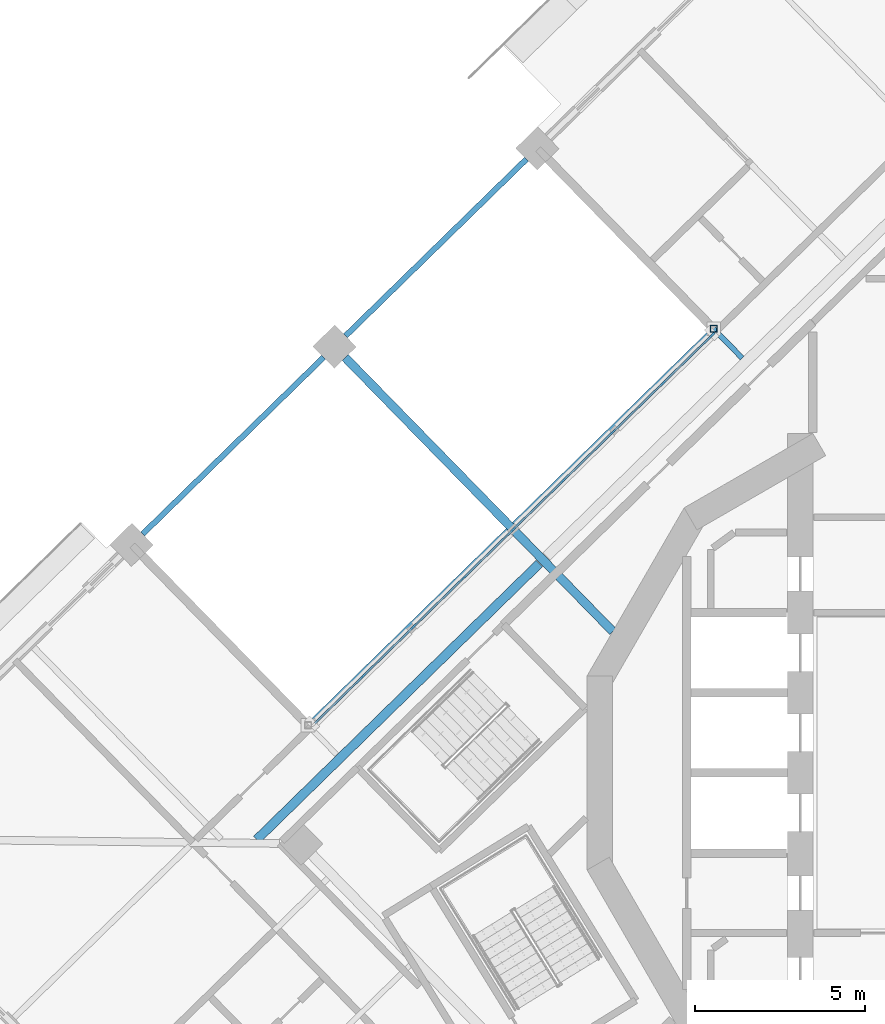
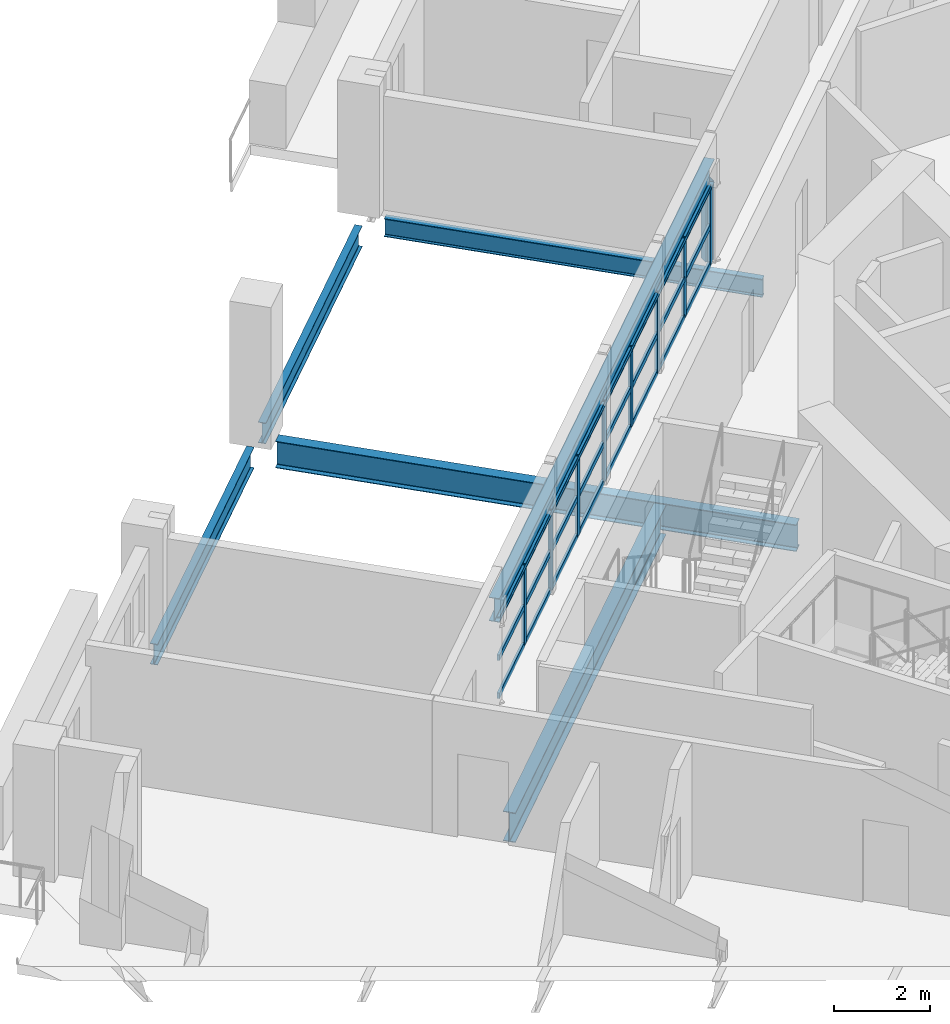
# One storey, part 4 of 21: 33 members, 6 beams, 1 element without a shape of its own.
"""IFC4 building model written with IfcOpenShell, lengths in metres."""

import ifcopenshell
import ifcopenshell.guid

model = None  # the IFC model being written
_history = None  # IfcOwnerHistory: only IFC2X3 demands one
_inside = {}  # id of a spatial element -> (the spatial element, [elements in it])
_under = {}  # id of a project, library or spatial element -> (it, [spatial elements below it])
_declared = {}  # id of a project -> (the project, [libraries it declares])
_typed = {}  # id of a type object -> (the type object, [elements of that type])
_made_of = {}  # id of a material, layer set ... -> (it, [elements and type objects made of it])


def new_model(schema):
    """Start an empty IFC model of exactly this schema.

    Asked for "IFC4X3", IfcOpenShell would pick the latest addendum, in which some entities
    have other attributes; the version numbers below select the first issue.
    IFC2X3 requires an IfcOwnerHistory on every rooted entity: one is made here for all.
    """
    global model, _history
    if schema == "IFC4X3":
        model = ifcopenshell.file(schema_version=(4, 3, 0, 0))
    else:
        model = ifcopenshell.file(schema=schema)
    _inside.clear()
    _under.clear()
    _declared.clear()
    _typed.clear()
    _made_of.clear()
    _history = None
    if model.schema == "IFC2X3":
        org = make("IfcOrganization", Name="unknown")
        user = make(
            "IfcPersonAndOrganization",
            ThePerson=make("IfcPerson", FamilyName="unknown"),
            TheOrganization=org,
        )
        app = make(
            "IfcApplication",
            ApplicationDeveloper=org,
            Version="unknown",
            ApplicationFullName="unknown",
            ApplicationIdentifier="unknown",
        )
        _history = make(
            "IfcOwnerHistory",
            OwningUser=user,
            OwningApplication=app,
            ChangeAction="ADDED",
            CreationDate=0,
        )
    return model


def make(cls, **values):
    """One entity of the class cls with the attributes given. An attribute that is None is left unset."""
    return model.create_entity(
        cls, **{name: value for name, value in values.items() if value is not None}
    )


def rooted(cls, **values):
    """An entity with a GlobalId (a new one), such as an element, a storey or a relation."""
    return make(cls, GlobalId=ifcopenshell.guid.new(), OwnerHistory=_history, **values)


def si_unit(unit_type, name, prefix=None):
    """IfcSIUnit, for example si_unit("LENGTHUNIT", "METRE", prefix="MILLI")."""
    return make("IfcSIUnit", UnitType=unit_type, Prefix=prefix, Name=name)


def assignment(units):
    """IfcUnitAssignment: the units of a project."""
    return None if units is None else make("IfcUnitAssignment", Units=units)


def point(xyz):
    """IfcCartesianPoint."""
    return None if xyz is None else make("IfcCartesianPoint", Coordinates=xyz)


def direction(xyz):
    """IfcDirection."""
    return None if xyz is None else make("IfcDirection", DirectionRatios=xyz)


def frame(location, z_axis=None, x_axis=None):
    """IfcAxis2Placement3D, a coordinate frame: its origin and axes. An axis left out is left unset."""
    return make(
        "IfcAxis2Placement3D",
        Location=point(location),
        Axis=direction(z_axis),
        RefDirection=direction(x_axis),
    )


def frame_2d(location, x_axis=None):
    """IfcAxis2Placement2D, a coordinate frame in the plane: its origin and x axis."""
    return make(
        "IfcAxis2Placement2D", Location=point(location), RefDirection=direction(x_axis)
    )


def origin():
    """The frame at (0, 0, 0) with its axes left unset."""
    return frame((0.0, 0.0, 0.0))


def origin_2d():
    """The frame at (0, 0) in the plane with its x axis left unset."""
    return frame_2d((0.0, 0.0))


def place(relative_to, where):
    """IfcLocalPlacement: puts the frame where relative to a parent placement (None: the world)."""
    return make(
        "IfcLocalPlacement", PlacementRelTo=relative_to, RelativePlacement=where
    )


def context(
    kind, dimensions, precision=None, world=None, true_north=None, identifier=None
):
    """IfcGeometricRepresentationContext, for example the 3D "Model" context."""
    return make(
        "IfcGeometricRepresentationContext",
        ContextIdentifier=identifier,
        ContextType=kind,
        CoordinateSpaceDimension=dimensions,
        Precision=precision,
        WorldCoordinateSystem=world,
        TrueNorth=true_north,
    )


def subcontext(parent, identifier, kind, view, scale=None):
    """IfcGeometricRepresentationSubContext, for example "Body" below "Model"."""
    return make(
        "IfcGeometricRepresentationSubContext",
        ContextIdentifier=identifier,
        ContextType=kind,
        ParentContext=parent,
        TargetScale=scale,
        TargetView=view,
    )


def project(units=None, contexts=None):
    """IfcProject with its units and contexts."""
    return rooted(
        "IfcProject",
        Name="project",
        RepresentationContexts=contexts,
        UnitsInContext=assignment(units),
    )


def spatial(cls, under=None, at=None, **own):
    """A site, building, storey or space (cls), placed at a placement, below another one or the project."""
    s = rooted(cls, ObjectPlacement=at, **own)
    if under is not None:
        _under.setdefault(under.id(), (under, []))[1].append(s)
    return s


def profile(cls, at=None, kind="AREA", **sizes):
    """A parametric profile (cls). Its sizes go by their IFC names, for example OverallWidth=200.0."""
    return make(cls, ProfileType=kind, Position=at, **sizes)


def rectangle(**sizes):
    """IfcRectangleProfileDef."""
    return profile("IfcRectangleProfileDef", **sizes)


def hollow_rectangle(**sizes):
    """IfcRectangleHollowProfileDef."""
    return profile("IfcRectangleHollowProfileDef", **sizes)


def i_section(**sizes):
    """IfcIShapeProfileDef."""
    return profile("IfcIShapeProfileDef", **sizes)


def extrude(swept, where, along, depth):
    """IfcExtrudedAreaSolid: the profile swept, set in the frame where, extruded along a direction by depth."""
    return make(
        "IfcExtrudedAreaSolid",
        SweptArea=swept,
        Position=where,
        ExtrudedDirection=direction(along),
        Depth=depth,
    )


def shape(context_of_items, identifier, shape_type, items):
    """IfcShapeRepresentation: the items that make up one representation, for example the "Body"."""
    return make(
        "IfcShapeRepresentation",
        ContextOfItems=context_of_items,
        RepresentationIdentifier=identifier,
        RepresentationType=shape_type,
        Items=items,
    )


def material(Name=None, Category=None):
    """IfcMaterial."""
    return make("IfcMaterial", Name=Name, Category=Category)


def material_profile(
    of_material, cross_section, Name=None, Category=None, Priority=None
):
    """IfcMaterialProfile: a cross section and its material."""
    return make(
        "IfcMaterialProfile",
        Name=Name,
        Material=of_material,
        Profile=cross_section,
        Priority=Priority,
        Category=Category,
    )


def profile_set(profiles, Name=None, composite=None):
    """IfcMaterialProfileSet."""
    return make(
        "IfcMaterialProfileSet",
        Name=Name,
        MaterialProfiles=profiles,
        CompositeProfile=composite,
    )


def made_of(thing, what):
    """Note that an element or type object is made of a material, layer set ...; save() writes the relation."""
    if what is not None:
        _made_of.setdefault(what.id(), (what, []))[1].append(thing)
    return thing


def type_object(cls, material=None, **own):
    """A type object (cls), such as IfcWallType, which elements share."""
    return made_of(rooted(cls, **own), material)


def element(
    cls,
    number,
    at=None,
    inside=None,
    cuts=None,
    type_object=None,
    material=None,
    context=None,
    identifier="Body",
    shape_type=None,
    held_by="IfcProductDefinitionShape",
    body=None,
    shapes=None,
    **own,
):
    """One element of the class cls, such as IfcWall. Its Tag is "e" and its number.

    at: its placement. inside: the storey or other place that contains it. cuts: it is an
    opening in that element (IfcRelVoidsElement). A single representation is given by context,
    identifier, shape_type and body (its items); several are given by shapes. held_by: the class
    of the entity that holds the representations. save() writes the other relations.
    """
    e = rooted(cls, Tag="e%d" % number, ObjectPlacement=at, **own)
    if body is not None:
        shapes = [shape(context, identifier, shape_type, body)]
    if shapes is not None:
        e.Representation = make(held_by, Representations=shapes)
    if inside is not None:
        _inside.setdefault(inside.id(), (inside, []))[1].append(e)
    if cuts is not None:
        rooted(
            "IfcRelVoidsElement", RelatingBuildingElement=cuts, RelatedOpeningElement=e
        )
    if type_object is not None:
        _typed.setdefault(type_object.id(), (type_object, []))[1].append(e)
    return made_of(e, material)


def aggregate(whole, parts):
    """IfcRelAggregates: a whole, such as a stair, and the parts it consists of."""
    return rooted("IfcRelAggregates", RelatingObject=whole, RelatedObjects=parts)


def save(model, path):
    """Write the relations noted so far, then the file.

    IfcRelAggregates (storeys below a building ...), IfcRelContainedInSpatialStructure (elements
    in a storey), IfcRelDefinesByType, IfcRelAssociatesMaterial and IfcRelDeclares: one each for
    every whole, place, type object, material and project.
    """
    for whole, parts in _under.values():
        aggregate(whole, parts)
    for where, things in _inside.values():
        rooted(
            "IfcRelContainedInSpatialStructure",
            RelatedElements=things,
            RelatingStructure=where,
        )
    for kind, things in _typed.values():
        rooted("IfcRelDefinesByType", RelatedObjects=things, RelatingType=kind)
    for what, things in _made_of.values():
        rooted("IfcRelAssociatesMaterial", RelatedObjects=things, RelatingMaterial=what)
    for by, libraries in _declared.values():
        rooted("IfcRelDeclares", RelatingContext=by, RelatedDefinitions=libraries)
    model.write(path)


model = new_model("IFC4")

# Units and contexts
model_context = context("Model", 3, precision=1e-05, world=origin(), true_north=direction((0.0, 1.0)))
body_context = subcontext(model_context, "Body", "Model", "MODEL_VIEW")
ifc_project = project(units=[si_unit("LENGTHUNIT", "METRE"), si_unit("AREAUNIT", "SQUARE_METRE"), si_unit("VOLUMEUNIT", "CUBIC_METRE"), si_unit("PLANEANGLEUNIT", "RADIAN"), si_unit("MASSUNIT", "GRAM", prefix="KILO")], contexts=[model_context])

# Site, building, storey
site_placement = place(None, origin())
site = spatial("IfcSite", under=ifc_project, at=site_placement, CompositionType="ELEMENT")
building_placement = place(site_placement, origin())
building = spatial("IfcBuilding", under=site, at=building_placement, Name="Cantera Rosa Tower", CompositionType="ELEMENT")
storey_placement = place(building_placement, frame((0.0, 0.0, 234.199951171875)))
storey = spatial("IfcBuildingStorey", under=building, at=storey_placement, Name="L51", CompositionType="ELEMENT", Elevation=234.199951171875)

# Curtain wall, members
ifc_material_1 = material(Name="Aluminium frame with clear glass", Category="aluminium")
curtain_wall_type = type_object("IfcCurtainWallType", Name="CW1 TERRACE POCKET GLAZING", PredefinedType="NOTDEFINED", material=ifc_material_1)
curtain_wall_placement = place(storey_placement, origin())
curtain_wall = element("IfcCurtainWall", 1, at=curtain_wall_placement, inside=storey, type_object=curtain_wall_type, Name="CW1 CW1", PredefinedType="NOTDEFINED")
ifc_material_2 = material(Name="Anodised bronze aluminium", Category="aluminium")
ifc_material_profile_1 = material_profile(ifc_material_2, rectangle(XDim=0.06005859375, YDim=0.179931640625, at=origin_2d()), Name="CW-MULLION 60x180 POCKET")
ifc_profile_set_1 = profile_set([ifc_material_profile_1], Name="Anodised bronze aluminium")
member_type_1 = type_object("IfcMemberType", Name="CW-MULLION 60x180 POCKET", PredefinedType="MULLION", material=ifc_profile_set_1)
member_1_placement = place(storey_placement, frame((-6.953857421875, 12.8486328125, 0.0), z_axis=(0.0, 0.0, 1.0), x_axis=(0.698831540401, -0.715286291034, 0.0)))
member_1 = element("IfcMember", 2, at=member_1_placement, type_object=member_type_1, Name="CW1 mullion 1", PredefinedType="MULLION", context=body_context, shape_type="SweptSolid", body=[
    extrude(rectangle(XDim=0.06005859375, YDim=0.179931640625, at=origin_2d()), origin(), (0.0, 0.0, 1.0), 1.988037109375),
])
member_2_placement = place(storey_placement, frame((-8.39794921875, 11.437744140625, 0.0), z_axis=(0.0, 0.0, 1.0), x_axis=(0.698831540401, -0.715286291034, 0.0)))
member_2 = element("IfcMember", 3, at=member_2_placement, type_object=member_type_1, Name="CW1 mullion 2", PredefinedType="MULLION", context=body_context, shape_type="SweptSolid", body=[
    extrude(rectangle(XDim=0.06005859375, YDim=0.179931640625, at=origin_2d()), origin(), (0.0, 0.0, 1.0), 1.988037109375),
])
member_3_placement = place(storey_placement, frame((-9.86328125, 10.006103515625, 0.0), z_axis=(0.0, 0.0, 1.0), x_axis=(0.698831540401, -0.715286291034, 0.0)))
member_3 = element("IfcMember", 4, at=member_3_placement, type_object=member_type_1, Name="CW1 mullion 3", PredefinedType="MULLION", context=body_context, shape_type="SweptSolid", body=[
    extrude(rectangle(XDim=0.06005859375, YDim=0.179931640625, at=origin_2d()), origin(), (0.0, 0.0, 1.0), 1.988037109375),
])
member_4_placement = place(storey_placement, frame((-11.32861328125, 8.574462890625, 0.0), z_axis=(0.0, 0.0, 1.0), x_axis=(0.698831540401, -0.715286291034, 0.0)))
member_4 = element("IfcMember", 5, at=member_4_placement, type_object=member_type_1, Name="CW1 mullion 4", PredefinedType="MULLION", context=body_context, shape_type="SweptSolid", body=[
    extrude(rectangle(XDim=0.06005859375, YDim=0.179931640625, at=origin_2d()), origin(), (0.0, 0.0, 1.0), 1.988037109375),
])
member_5_placement = place(storey_placement, frame((-12.794189453125, 7.142578125, 0.0), z_axis=(0.0, 0.0, 1.0), x_axis=(0.698831540401, -0.715286291034, 0.0)))
member_5 = element("IfcMember", 6, at=member_5_placement, type_object=member_type_1, Name="CW1 mullion 5", PredefinedType="MULLION", context=body_context, shape_type="SweptSolid", body=[
    extrude(rectangle(XDim=0.06005859375, YDim=0.179931640625, at=origin_2d()), origin(), (0.0, 0.0, 1.0), 1.988037109375),
])
member_6_placement = place(storey_placement, frame((-14.259521484375, 5.7109375, 0.0), z_axis=(0.0, 0.0, 1.0), x_axis=(0.698831540401, -0.715286291034, 0.0)))
member_6 = element("IfcMember", 7, at=member_6_placement, type_object=member_type_1, Name="CW1 mullion 6", PredefinedType="MULLION", context=body_context, shape_type="SweptSolid", body=[
    extrude(rectangle(XDim=0.06005859375, YDim=0.179931640625, at=origin_2d()), origin(), (0.0, 0.0, 1.0), 1.988037109375),
])
member_7_placement = place(storey_placement, frame((-15.72509765625, 4.279052734375, 0.0), z_axis=(0.0, 0.0, 1.0), x_axis=(0.698831540401, -0.715286291034, 0.0)))
member_7 = element("IfcMember", 8, at=member_7_placement, type_object=member_type_1, Name="CW1 mullion 7", PredefinedType="MULLION", context=body_context, shape_type="SweptSolid", body=[
    extrude(rectangle(XDim=0.06005859375, YDim=0.179931640625, at=origin_2d()), origin(), (0.0, 0.0, 1.0), 1.988037109375),
])
member_8_placement = place(storey_placement, frame((-17.1904296875, 2.847412109375, 0.0), z_axis=(0.0, 0.0, 1.0), x_axis=(0.698831540401, -0.715286291034, 0.0)))
member_8 = element("IfcMember", 9, at=member_8_placement, type_object=member_type_1, Name="CW1 mullion 8", PredefinedType="MULLION", context=body_context, shape_type="SweptSolid", body=[
    extrude(rectangle(XDim=0.06005859375, YDim=0.179931640625, at=origin_2d()), origin(), (0.0, 0.0, 1.0), 1.988037109375),
])
ifc_material_3 = material(Name="Anodised bronze aluminium", Category="aluminium")
ifc_material_profile_2 = material_profile(ifc_material_3, rectangle(XDim=0.06005859375, YDim=0.139892578125, at=origin_2d()), Name="CW-TRANSOM 60x140 POCKET")
ifc_profile_set_2 = profile_set([ifc_material_profile_2], Name="Anodised bronze aluminium")
member_type_2 = type_object("IfcMemberType", Name="CW-TRANSOM 60x140 POCKET", PredefinedType="USERDEFINED", material=ifc_profile_set_2)
member_9_placement = place(storey_placement, frame((-6.975341796875, 12.82763671875, 0.030029296875), z_axis=(-0.715284895398, -0.698832968896, 0.0), x_axis=(0.698832968896, -0.715284895398, 0.0)))
member_9 = element("IfcMember", 10, at=member_9_placement, type_object=member_type_2, Name="CW1 transom 1.1", ObjectType="TRANSOM", PredefinedType="USERDEFINED", context=body_context, shape_type="SweptSolid", body=[
    extrude(rectangle(XDim=0.06005859375, YDim=0.139892578125, at=origin_2d()), origin(), (0.0, 0.0, 1.0), 1.958740234375),
])
member_10_placement = place(storey_placement, frame((-6.975341796875, 12.82763671875, 0.994140625), z_axis=(-0.715284895398, -0.698832968896, 0.0), x_axis=(0.698832968896, -0.715284895398, 0.0)))
member_10 = element("IfcMember", 11, at=member_10_placement, type_object=member_type_2, Name="CW1 transom 1.2", ObjectType="TRANSOM", PredefinedType="USERDEFINED", context=body_context, shape_type="SweptSolid", body=[
    extrude(rectangle(XDim=0.06005859375, YDim=0.139892578125, at=origin_2d()), origin(), (0.0, 0.0, 1.0), 1.958740234375),
])
member_11_placement = place(storey_placement, frame((-6.975341796875, 12.82763671875, 1.9580078125), z_axis=(-0.715284895398, -0.698832968896, 0.0), x_axis=(0.698832968896, -0.715284895398, 0.0)))
member_11 = element("IfcMember", 12, at=member_11_placement, type_object=member_type_2, Name="CW1 transom 1.3", ObjectType="TRANSOM", PredefinedType="USERDEFINED", context=body_context, shape_type="SweptSolid", body=[
    extrude(rectangle(XDim=0.06005859375, YDim=0.139892578125, at=origin_2d()), origin(), (0.0, 0.0, 1.0), 1.958740234375),
])
member_12_placement = place(storey_placement, frame((-8.419189453125, 11.416748046875, 0.030029296875), z_axis=(-0.715344782477, -0.6987716667, 0.0), x_axis=(0.6987716667, -0.715344782477, 0.0)))
member_12 = element("IfcMember", 13, at=member_12_placement, type_object=member_type_2, Name="CW1 transom 2.1", ObjectType="TRANSOM", PredefinedType="USERDEFINED", context=body_context, shape_type="SweptSolid", body=[
    extrude(rectangle(XDim=0.06005859375, YDim=0.139892578125, at=origin_2d()), origin(), (0.0, 0.0, 1.0), 1.98876953125),
])
member_13_placement = place(storey_placement, frame((-8.419189453125, 11.416748046875, 0.994140625), z_axis=(-0.715344782477, -0.6987716667, 0.0), x_axis=(0.6987716667, -0.715344782477, 0.0)))
member_13 = element("IfcMember", 14, at=member_13_placement, type_object=member_type_2, Name="CW1 transom 2.2", ObjectType="TRANSOM", PredefinedType="USERDEFINED", context=body_context, shape_type="SweptSolid", body=[
    extrude(rectangle(XDim=0.06005859375, YDim=0.139892578125, at=origin_2d()), origin(), (0.0, 0.0, 1.0), 1.98876953125),
])
member_14_placement = place(storey_placement, frame((-8.419189453125, 11.416748046875, 1.9580078125), z_axis=(-0.715344782477, -0.6987716667, 0.0), x_axis=(0.6987716667, -0.715344782477, 0.0)))
member_14 = element("IfcMember", 15, at=member_14_placement, type_object=member_type_2, Name="CW1 transom 2.3", ObjectType="TRANSOM", PredefinedType="USERDEFINED", context=body_context, shape_type="SweptSolid", body=[
    extrude(rectangle(XDim=0.06005859375, YDim=0.139892578125, at=origin_2d()), origin(), (0.0, 0.0, 1.0), 1.98876953125),
])
member_15_placement = place(storey_placement, frame((-9.884765625, 9.985107421875, 0.030029296875), z_axis=(-0.715283419933, -0.698834479093, 0.0), x_axis=(0.698834479093, -0.715283419933, 0.0)))
member_15 = element("IfcMember", 16, at=member_15_placement, type_object=member_type_2, Name="CW1 transom 3.1", ObjectType="TRANSOM", PredefinedType="USERDEFINED", context=body_context, shape_type="SweptSolid", body=[
    extrude(rectangle(XDim=0.06005859375, YDim=0.139892578125, at=origin_2d()), origin(), (0.0, 0.0, 1.0), 1.98876953125),
])
member_16_placement = place(storey_placement, frame((-9.884765625, 9.985107421875, 0.994140625), z_axis=(-0.715283419933, -0.698834479093, 0.0), x_axis=(0.698834479093, -0.715283419933, 0.0)))
member_16 = element("IfcMember", 17, at=member_16_placement, type_object=member_type_2, Name="CW1 transom 3.2", ObjectType="TRANSOM", PredefinedType="USERDEFINED", context=body_context, shape_type="SweptSolid", body=[
    extrude(rectangle(XDim=0.06005859375, YDim=0.139892578125, at=origin_2d()), origin(), (0.0, 0.0, 1.0), 1.98876953125),
])
member_17_placement = place(storey_placement, frame((-9.884765625, 9.985107421875, 1.9580078125), z_axis=(-0.715283419933, -0.698834479093, 0.0), x_axis=(0.698834479093, -0.715283419933, 0.0)))
member_17 = element("IfcMember", 18, at=member_17_placement, type_object=member_type_2, Name="CW1 transom 3.3", ObjectType="TRANSOM", PredefinedType="USERDEFINED", context=body_context, shape_type="SweptSolid", body=[
    extrude(rectangle(XDim=0.06005859375, YDim=0.139892578125, at=origin_2d()), origin(), (0.0, 0.0, 1.0), 1.98876953125),
])
member_18_placement = place(storey_placement, frame((-11.35009765625, 8.553466796875, 0.030029296875), z_axis=(-0.715283419933, -0.698834479093, 0.0), x_axis=(0.698834479093, -0.715283419933, 0.0)))
member_18 = element("IfcMember", 19, at=member_18_placement, type_object=member_type_2, Name="CW1 transom 4.1", ObjectType="TRANSOM", PredefinedType="USERDEFINED", context=body_context, shape_type="SweptSolid", body=[
    extrude(rectangle(XDim=0.06005859375, YDim=0.139892578125, at=origin_2d()), origin(), (0.0, 0.0, 1.0), 1.98876953125),
])
member_19_placement = place(storey_placement, frame((-11.35009765625, 8.553466796875, 0.994140625), z_axis=(-0.715283419933, -0.698834479093, 0.0), x_axis=(0.698834479093, -0.715283419933, 0.0)))
member_19 = element("IfcMember", 20, at=member_19_placement, type_object=member_type_2, Name="CW1 transom 4.2", ObjectType="TRANSOM", PredefinedType="USERDEFINED", context=body_context, shape_type="SweptSolid", body=[
    extrude(rectangle(XDim=0.06005859375, YDim=0.139892578125, at=origin_2d()), origin(), (0.0, 0.0, 1.0), 1.98876953125),
])
member_20_placement = place(storey_placement, frame((-11.35009765625, 8.553466796875, 1.9580078125), z_axis=(-0.715283419933, -0.698834479093, 0.0), x_axis=(0.698834479093, -0.715283419933, 0.0)))
member_20 = element("IfcMember", 21, at=member_20_placement, type_object=member_type_2, Name="CW1 transom 4.3", ObjectType="TRANSOM", PredefinedType="USERDEFINED", context=body_context, shape_type="SweptSolid", body=[
    extrude(rectangle(XDim=0.06005859375, YDim=0.139892578125, at=origin_2d()), origin(), (0.0, 0.0, 1.0), 1.98876953125),
])
member_21_placement = place(storey_placement, frame((-12.815673828125, 7.12158203125, 0.030029296875), z_axis=(-0.715284831236, -0.698833034568, 0.0), x_axis=(0.698833034568, -0.715284831236, 0.0)))
member_21 = element("IfcMember", 22, at=member_21_placement, type_object=member_type_2, Name="CW1 transom 5.1", ObjectType="TRANSOM", PredefinedType="USERDEFINED", context=body_context, shape_type="SweptSolid", body=[
    extrude(rectangle(XDim=0.06005859375, YDim=0.139892578125, at=origin_2d()), origin(), (0.0, 0.0, 1.0), 1.988525390625),
])
member_22_placement = place(storey_placement, frame((-12.815673828125, 7.12158203125, 0.994140625), z_axis=(-0.715284831236, -0.698833034568, 0.0), x_axis=(0.698833034568, -0.715284831236, 0.0)))
member_22 = element("IfcMember", 23, at=member_22_placement, type_object=member_type_2, Name="CW1 transom 5.2", ObjectType="TRANSOM", PredefinedType="USERDEFINED", context=body_context, shape_type="SweptSolid", body=[
    extrude(rectangle(XDim=0.06005859375, YDim=0.139892578125, at=origin_2d()), origin(), (0.0, 0.0, 1.0), 1.988525390625),
])
member_23_placement = place(storey_placement, frame((-12.815673828125, 7.12158203125, 1.9580078125), z_axis=(-0.715284831236, -0.698833034568, 0.0), x_axis=(0.698833034568, -0.715284831236, 0.0)))
member_23 = element("IfcMember", 24, at=member_23_placement, type_object=member_type_2, Name="CW1 transom 5.3", ObjectType="TRANSOM", PredefinedType="USERDEFINED", context=body_context, shape_type="SweptSolid", body=[
    extrude(rectangle(XDim=0.06005859375, YDim=0.139892578125, at=origin_2d()), origin(), (0.0, 0.0, 1.0), 1.988525390625),
])
member_24_placement = place(storey_placement, frame((-14.281005859375, 5.68994140625, 0.030029296875), z_axis=(-0.715283419933, -0.698834479093, 0.0), x_axis=(0.698834479093, -0.715283419933, 0.0)))
member_24 = element("IfcMember", 25, at=member_24_placement, type_object=member_type_2, Name="CW1 transom 6.1", ObjectType="TRANSOM", PredefinedType="USERDEFINED", context=body_context, shape_type="SweptSolid", body=[
    extrude(rectangle(XDim=0.06005859375, YDim=0.139892578125, at=origin_2d()), origin(), (0.0, 0.0, 1.0), 1.98876953125),
])
member_25_placement = place(storey_placement, frame((-14.281005859375, 5.68994140625, 0.994140625), z_axis=(-0.715283419933, -0.698834479093, 0.0), x_axis=(0.698834479093, -0.715283419933, 0.0)))
member_25 = element("IfcMember", 26, at=member_25_placement, type_object=member_type_2, Name="CW1 transom 6.2", ObjectType="TRANSOM", PredefinedType="USERDEFINED", context=body_context, shape_type="SweptSolid", body=[
    extrude(rectangle(XDim=0.06005859375, YDim=0.139892578125, at=origin_2d()), origin(), (0.0, 0.0, 1.0), 1.98876953125),
])
member_26_placement = place(storey_placement, frame((-14.281005859375, 5.68994140625, 1.9580078125), z_axis=(-0.715283419933, -0.698834479093, 0.0), x_axis=(0.698834479093, -0.715283419933, 0.0)))
member_26 = element("IfcMember", 27, at=member_26_placement, type_object=member_type_2, Name="CW1 transom 6.3", ObjectType="TRANSOM", PredefinedType="USERDEFINED", context=body_context, shape_type="SweptSolid", body=[
    extrude(rectangle(XDim=0.06005859375, YDim=0.139892578125, at=origin_2d()), origin(), (0.0, 0.0, 1.0), 1.98876953125),
])
member_27_placement = place(storey_placement, frame((-15.74658203125, 4.25830078125, 0.030029296875), z_axis=(-0.715223463058, -0.698895841948, 0.0), x_axis=(0.698895841948, -0.715223463058, 0.0)))
member_27 = element("IfcMember", 28, at=member_27_placement, type_object=member_type_2, Name="CW1 transom 7.1", ObjectType="TRANSOM", PredefinedType="USERDEFINED", context=body_context, shape_type="SweptSolid", body=[
    extrude(rectangle(XDim=0.06005859375, YDim=0.139892578125, at=origin_2d()), origin(), (0.0, 0.0, 1.0), 1.98876953125),
])
member_28_placement = place(storey_placement, frame((-15.74658203125, 4.25830078125, 0.994140625), z_axis=(-0.715223463058, -0.698895841948, 0.0), x_axis=(0.698895841948, -0.715223463058, 0.0)))
member_28 = element("IfcMember", 29, at=member_28_placement, type_object=member_type_2, Name="CW1 transom 7.2", ObjectType="TRANSOM", PredefinedType="USERDEFINED", context=body_context, shape_type="SweptSolid", body=[
    extrude(rectangle(XDim=0.06005859375, YDim=0.139892578125, at=origin_2d()), origin(), (0.0, 0.0, 1.0), 1.98876953125),
])
member_29_placement = place(storey_placement, frame((-15.74658203125, 4.25830078125, 1.9580078125), z_axis=(-0.715223463058, -0.698895841948, 0.0), x_axis=(0.698895841948, -0.715223463058, 0.0)))
member_29 = element("IfcMember", 30, at=member_29_placement, type_object=member_type_2, Name="CW1 transom 7.3", ObjectType="TRANSOM", PredefinedType="USERDEFINED", context=body_context, shape_type="SweptSolid", body=[
    extrude(rectangle(XDim=0.06005859375, YDim=0.139892578125, at=origin_2d()), origin(), (0.0, 0.0, 1.0), 1.98876953125),
])
member_30_placement = place(storey_placement, frame((-17.2119140625, 2.826416015625, 0.030029296875), z_axis=(-0.715284895398, -0.698832968896, 0.0), x_axis=(0.698832968896, -0.715284895398, 0.0)))
member_30 = element("IfcMember", 31, at=member_30_placement, type_object=member_type_2, Name="CW1 transom 8.1", ObjectType="TRANSOM", PredefinedType="USERDEFINED", context=body_context, shape_type="SweptSolid", body=[
    extrude(rectangle(XDim=0.06005859375, YDim=0.139892578125, at=origin_2d()), origin(), (0.0, 0.0, 1.0), 1.958740234375),
])
member_31_placement = place(storey_placement, frame((-17.2119140625, 2.826416015625, 0.994140625), z_axis=(-0.715284895398, -0.698832968896, 0.0), x_axis=(0.698832968896, -0.715284895398, 0.0)))
member_31 = element("IfcMember", 32, at=member_31_placement, type_object=member_type_2, Name="CW1 transom 8.2", ObjectType="TRANSOM", PredefinedType="USERDEFINED", context=body_context, shape_type="SweptSolid", body=[
    extrude(rectangle(XDim=0.06005859375, YDim=0.139892578125, at=origin_2d()), origin(), (0.0, 0.0, 1.0), 1.958740234375),
])
member_32_placement = place(storey_placement, frame((-17.2119140625, 2.826416015625, 1.9580078125), z_axis=(-0.715284895398, -0.698832968896, 0.0), x_axis=(0.698832968896, -0.715284895398, 0.0)))
member_32 = element("IfcMember", 33, at=member_32_placement, type_object=member_type_2, Name="CW1 transom 8.3", ObjectType="TRANSOM", PredefinedType="USERDEFINED", context=body_context, shape_type="SweptSolid", body=[
    extrude(rectangle(XDim=0.06005859375, YDim=0.139892578125, at=origin_2d()), origin(), (0.0, 0.0, 1.0), 1.958740234375),
])
aggregate(curtain_wall, [member_1, member_2, member_3, member_4, member_5, member_6, member_7, member_8, member_9, member_10, member_11, member_12, member_13, member_14, member_15, member_16, member_17, member_18, member_19, member_20, member_21, member_22, member_23, member_24, member_25, member_26, member_27, member_28, member_29, member_30, member_31, member_32])

# Member
ifc_material_4 = material(Name="Steel ASTM A992 (Fy 345 MPa)", Category="steel")
ifc_material_profile_3 = material_profile(ifc_material_4, hollow_rectangle(XDim=0.199951171875, YDim=0.199951171875, WallThickness=0.010009765625, at=origin_2d()), Name="LINTEL POST RHS 200x200x10")
ifc_profile_set_3 = profile_set([ifc_material_profile_3], Name="Steel ASTM A992 (Fy 345 MPa)")
member_type_3 = type_object("IfcMemberType", Name="LINTEL POST RHS 200x200x10", PredefinedType="USERDEFINED", material=ifc_profile_set_3)
member_33_placement = place(storey_placement, frame((-6.912841796875, 13.0283203125, 0.0), z_axis=(0.0, 0.0, 1.0), x_axis=(1.0, 0.0, 0.0)))
element("IfcMember", 34, at=member_33_placement, inside=storey, type_object=member_type_3, Name="LINTEL POST L51-1", ObjectType="LINTEL POST", PredefinedType="USERDEFINED", context=body_context, shape_type="SweptSolid", body=[
    extrude(hollow_rectangle(XDim=0.199951171875, YDim=0.199951171875, WallThickness=0.010009765625, at=origin_2d()), origin(), (0.0, 0.0, 1.0), 1.989990234375),
])

# Beams
ifc_material_5 = material(Name="Steel ASTM A992 (Fy 345 MPa)", Category="steel")
ifc_material_profile_4 = material_profile(ifc_material_5, i_section(OverallWidth=0.154052734375, OverallDepth=0.4599609375, WebThickness=0.009033203125, FlangeThickness=0.015380859375, FilletRadius=0.01025390625, at=origin_2d()), Name="W460X68")
ifc_profile_set_4 = profile_set([ifc_material_profile_4], Name="Steel ASTM A992 (Fy 345 MPa)")
beam_type_1 = type_object("IfcBeamType", Name="STEEL BEAM W460X68", PredefinedType="BEAM", material=ifc_profile_set_4)
beam_1_placement = place(storey_placement, frame((-11.769775390625, 17.999755859375, -0.47998046875), z_axis=(0.698836133494, -0.715281803574, 0.0), x_axis=(0.715281803574, 0.698836133494, 0.0)))
element("IfcBeam", 35, at=beam_1_placement, inside=storey, type_object=beam_type_1, Name="G-Z4-06 L51", PredefinedType="BEAM", context=body_context, shape_type="SweptSolid", body=[
    extrude(i_section(OverallWidth=0.154052734375, OverallDepth=0.4599609375, WebThickness=0.009033203125, FlangeThickness=0.015380859375, FilletRadius=0.01025390625, at=origin_2d()), origin(), (0.0, 0.0, 1.0), 8.150146484375),
])
ifc_material_6 = material(Name="Steel ASTM A992 (Fy 345 MPa)", Category="steel")
ifc_material_profile_5 = material_profile(ifc_material_6, i_section(OverallWidth=0.22802734375, OverallDepth=0.60205078125, WebThickness=0.010498046875, FlangeThickness=0.014892578125, FilletRadius=0.0126953125, at=origin_2d()), Name="W610X101")
ifc_profile_set_5 = profile_set([ifc_material_profile_5], Name="Steel ASTM A992 (Fy 345 MPa)")
beam_type_2 = type_object("IfcBeamType", Name="STEEL BEAM W610X101", PredefinedType="BEAM", material=ifc_profile_set_5)
beam_2_placement = place(storey_placement, frame((-6.913818359375, 12.957763671875, 2.291015625), z_axis=(-0.715280768406, -0.698837193021, 0.0), x_axis=(0.698837193021, -0.715280768406, 0.0)))
element("IfcBeam", 36, at=beam_2_placement, inside=storey, type_object=beam_type_2, Name="LINTEL SL-L51", PredefinedType="BEAM", context=body_context, shape_type="SweptSolid", body=[
    extrude(i_section(OverallWidth=0.22802734375, OverallDepth=0.60205078125, WebThickness=0.010498046875, FlangeThickness=0.014892578125, FilletRadius=0.0126953125, at=origin_2d()), origin(), (0.0, 0.0, 1.0), 16.539794921875),
])
ifc_material_7 = material(Name="Steel ASTM A992 (Fy 345 MPa)", Category="steel")
ifc_material_profile_6 = material_profile(ifc_material_7, i_section(OverallWidth=0.25390625, OverallDepth=0.677978515625, WebThickness=0.01171875, FlangeThickness=0.016357421875, FilletRadius=0.01513671875, at=origin_2d()), Name="W690X125")
ifc_profile_set_6 = profile_set([ifc_material_profile_6], Name="Steel ASTM A992 (Fy 345 MPa)")
beam_type_3 = type_object("IfcBeamType", Name="STEEL BEAM W690X125", PredefinedType="BEAM", material=ifc_profile_set_6)
beam_3_placement = place(storey_placement, frame((-17.720947265625, 12.185302734375, -0.5888671875), z_axis=(0.698831358516, -0.715286468734, 0.0), x_axis=(0.715286468734, 0.698831358516, 0.0)))
element("IfcBeam", 37, at=beam_3_placement, inside=storey, type_object=beam_type_3, Name="G-Z4-07 L51", PredefinedType="BEAM", context=body_context, shape_type="SweptSolid", body=[
    extrude(i_section(OverallWidth=0.25390625, OverallDepth=0.677978515625, WebThickness=0.01171875, FlangeThickness=0.016357421875, FilletRadius=0.01513671875, at=origin_2d()), origin(), (0.0, 0.0, 1.0), 11.2314453125),
])
ifc_material_8 = material(Name="Steel ASTM A992 (Fy 345 MPa)", Category="steel")
ifc_material_profile_7 = material_profile(ifc_material_8, i_section(OverallWidth=0.26708984375, OverallDepth=0.75390625, WebThickness=0.01318359375, FlangeThickness=0.01708984375, FilletRadius=0.0166015625, at=origin_2d()), Name="W760X147")
ifc_profile_set_7 = profile_set([ifc_material_profile_7], Name="Steel ASTM A992 (Fy 345 MPa)")
beam_type_4 = type_object("IfcBeamType", Name="STEEL BEAM W760X147", PredefinedType="BEAM", material=ifc_profile_set_7)
beam_4_placement = place(storey_placement, frame((-20.318115234375, -1.955810546875, -0.626953125), z_axis=(0.715284592672, 0.698833278749, 0.0), x_axis=(-0.698833278749, 0.715284592672, 0.0)))
element("IfcBeam", 38, at=beam_4_placement, inside=storey, type_object=beam_type_4, Name="RB-Z4-01 L51", PredefinedType="BEAM", context=body_context, shape_type="SweptSolid", body=[
    extrude(i_section(OverallWidth=0.26708984375, OverallDepth=0.75390625, WebThickness=0.01318359375, FlangeThickness=0.01708984375, FilletRadius=0.0166015625, at=origin_2d()), origin(), (0.0, 0.0, 1.0), 11.590087890625),
])
ifc_material_9 = material(Name="Steel ASTM A992 (Fy 345 MPa)", Category="steel")
ifc_material_profile_8 = material_profile(ifc_material_9, i_section(OverallWidth=0.166015625, OverallDepth=0.528076171875, WebThickness=0.009765625, FlangeThickness=0.013671875, FilletRadius=0.0126953125, at=origin_2d()), Name="W530X74")
ifc_profile_set_8 = profile_set([ifc_material_profile_8], Name="Steel ASTM A992 (Fy 345 MPa)")
beam_type_5 = type_object("IfcBeamType", Name="STEEL SPANDREL BEAM W530X74", PredefinedType="SPANDREL", material=ifc_profile_set_8)
for number, where, z_axis, x_axis, name in (
    (39, (-12.406005859375, 18.007080078125, -0.513916015625), (-0.715300826176, -0.698816662703, 0.0), (0.698816662703, -0.715300826176, 0.0), "EB-Z4-10 L51"),
    (40, (-18.357177734375, 12.19287109375, -0.513916015625), (-0.715300826176, -0.698816662703, 0.0), (0.698816662703, -0.715300826176, 0.0), "EB-Z4-11 L51"),
):
    element("IfcBeam", number, at=place(storey_placement, frame(where, z_axis=z_axis, x_axis=x_axis)), inside=storey, type_object=beam_type_5, Name=name, PredefinedType="SPANDREL", context=body_context, shape_type="SweptSolid", body=[
        extrude(i_section(OverallWidth=0.166015625, OverallDepth=0.528076171875, WebThickness=0.009765625, FlangeThickness=0.013671875, FilletRadius=0.0126953125, at=origin_2d()), origin(), (0.0, 0.0, 1.0), 7.420166015625),
    ])

save(model, "model.ifc")
